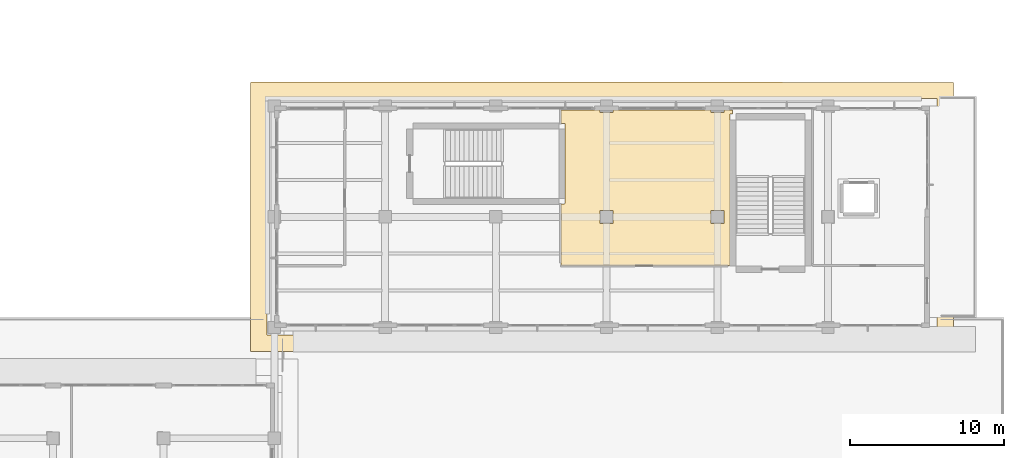
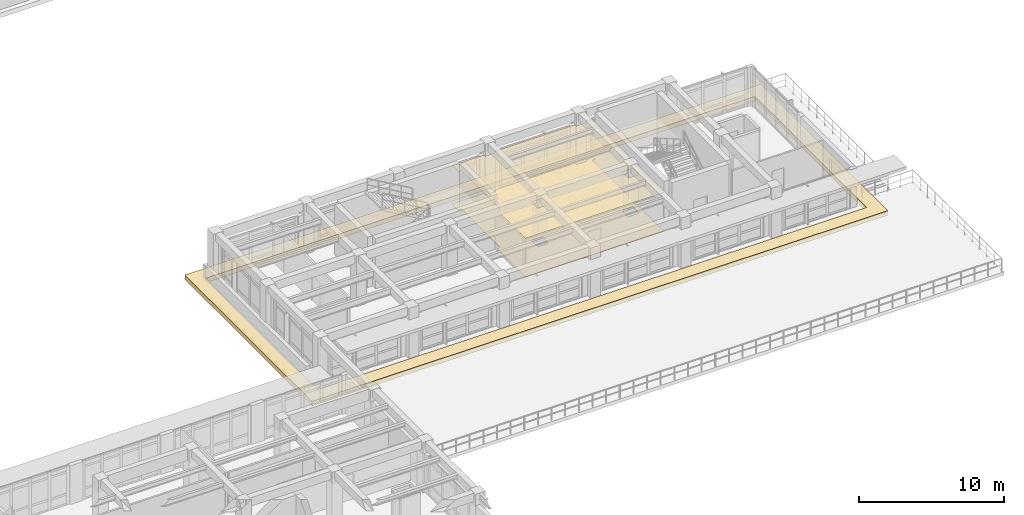
# One storey, part 62 of 67: 3 coverings.
"""IFC4 building model written with IfcOpenShell, lengths in metres."""

from ifc_helpers import new_model, si_unit, direction, frame, origin, place, context, subcontext, project, spatial, polyline, outline, extrude, material, layer, layer_set, type_object, element, save


model = new_model("IFC4")

# Units and contexts
model_context = context("Model", 3, precision=1e-05, world=origin(), true_north=direction((0.0, 1.0)))
body_context = subcontext(model_context, "Body", "Model", "MODEL_VIEW")
ifc_project = project(units=[si_unit("LENGTHUNIT", "METRE"), si_unit("AREAUNIT", "SQUARE_METRE"), si_unit("VOLUMEUNIT", "CUBIC_METRE"), si_unit("PLANEANGLEUNIT", "RADIAN"), si_unit("MASSUNIT", "GRAM", prefix="KILO")], contexts=[model_context])

# Site, building, storey
site_placement = place(None, origin())
site = spatial("IfcSite", under=ifc_project, at=site_placement, CompositionType="ELEMENT")
building_placement = place(site_placement, origin())
building = spatial("IfcBuilding", under=site, at=building_placement, Name="Solenvale Faculty of Natural Sciences", CompositionType="ELEMENT")
storey_placement = place(building_placement, frame((0.0, 0.0, 13.5)))
storey = spatial("IfcBuildingStorey", under=building, at=storey_placement, Name="L03", CompositionType="ELEMENT", Elevation=13.5)

# Coverings
ifc_material_1 = material(Name="Acoustic mineral-timber ceiling", Category="wood")
ifc_layer_1 = layer(ifc_material_1, 0.02490234375)
ifc_layer_set_1 = layer_set([ifc_layer_1], Name="Acoustic mineral-timber ceiling")
covering_type_1 = type_object("IfcCoveringType", Name="COV-CEIL-AC25", PredefinedType="CEILING", material=ifc_layer_set_1)
covering_1_placement = place(storey_placement, frame((0.0, 0.0, 3.235107421875)))
element("IfcCovering", 1, at=covering_1_placement, inside=storey, type_object=covering_type_1, Name="L03 Science Library Reference Reading Hall Acoustic Ceiling", PredefinedType="CEILING", context=body_context, shape_type="SweptSolid", body=[
    extrude(outline(polyline([(133.820068359375, 51.18994140625), (133.846923828125, 51.219970703125), (134.056884765625, 51.220947265625), (134.080078125, 51.25), (134.080078125, 56.450927734375), (134.054931640625, 56.47998046875), (133.846923828125, 56.47998046875), (133.821044921875, 56.5009765625), (133.820068359375, 57.330078125), (133.8359375, 57.35595703125), (136.347900390625, 57.360107421875), (136.3740234375, 57.3359375), (136.375, 57.18408203125), (136.385986328125, 57.175048828125), (137.217041015625, 57.175048828125), (137.22607421875, 57.3359375), (137.2548828125, 57.360107421875), (143.544921875, 57.360107421875), (143.573974609375, 57.3359375), (143.574951171875, 57.18408203125), (143.5859375, 57.175048828125), (144.416015625, 57.175048828125), (144.425048828125, 57.18408203125), (144.426025390625, 57.3359375), (144.446044921875, 57.35888671875), (144.949951171875, 57.360107421875), (144.97607421875, 57.343994140625), (144.97607421875, 57.095947265625), (144.952880859375, 57.080078125), (144.842041015625, 57.0791015625), (144.820068359375, 57.050048828125), (144.820068359375, 47.27001953125), (144.803955078125, 47.243896484375), (133.839111328125, 47.241943359375), (133.820068359375, 47.27001953125), (133.820068359375, 51.18994140625)]), holes=[polyline([(143.5859375, 50.824951171875), (143.574951171875, 50.81396484375), (143.577880859375, 49.97802734375), (144.422119140625, 49.97802734375), (144.422119140625, 50.822021484375), (143.5859375, 50.824951171875)]), polyline([(136.385986328125, 50.824951171875), (136.375, 50.81396484375), (136.3779296875, 49.97802734375), (137.221923828125, 49.97802734375), (137.221923828125, 50.822021484375), (136.385986328125, 50.824951171875)])]), origin(), (0.0, 0.0, 1.0), 0.02490234375),
])
ifc_material_2 = material(Name="Polished slate terrazzo flooring", Category="masonry")
ifc_layer_2 = layer(ifc_material_2, 0.01806640625)
ifc_layer_set_2 = layer_set([ifc_layer_2], Name="Polished slate terrazzo flooring")
covering_type_2 = type_object("IfcCoveringType", Name="COV-FLR-TRZ18", PredefinedType="FLOORING", material=ifc_layer_set_2)
covering_2_placement = place(storey_placement, origin())
element("IfcCovering", 2, at=covering_2_placement, inside=storey, type_object=covering_type_2, Name="L03 Science Library Reference Reading Hall Floor Finish", PredefinedType="FLOORING", context=body_context, shape_type="SweptSolid", body=[
    extrude(outline(polyline([(133.820068359375, 51.18994140625), (133.846923828125, 51.219970703125), (134.056884765625, 51.220947265625), (134.080078125, 51.25), (134.080078125, 56.450927734375), (134.054931640625, 56.47998046875), (133.846923828125, 56.47998046875), (133.821044921875, 56.5009765625), (133.820068359375, 57.330078125), (133.8359375, 57.35595703125), (136.347900390625, 57.360107421875), (136.3740234375, 57.3359375), (136.375, 57.18408203125), (136.385986328125, 57.175048828125), (137.217041015625, 57.175048828125), (137.22607421875, 57.3359375), (137.2548828125, 57.360107421875), (143.544921875, 57.360107421875), (143.573974609375, 57.3359375), (143.574951171875, 57.18408203125), (143.5859375, 57.175048828125), (144.416015625, 57.175048828125), (144.425048828125, 57.18408203125), (144.426025390625, 57.3359375), (144.446044921875, 57.35888671875), (144.949951171875, 57.360107421875), (144.97607421875, 57.343994140625), (144.97607421875, 57.095947265625), (144.952880859375, 57.080078125), (144.842041015625, 57.0791015625), (144.820068359375, 57.050048828125), (144.820068359375, 47.27001953125), (144.803955078125, 47.243896484375), (133.839111328125, 47.241943359375), (133.820068359375, 47.27001953125), (133.820068359375, 51.18994140625)]), holes=[polyline([(143.5859375, 50.824951171875), (143.574951171875, 50.81396484375), (143.577880859375, 49.97802734375), (144.422119140625, 49.97802734375), (144.422119140625, 50.822021484375), (143.5859375, 50.824951171875)]), polyline([(136.385986328125, 50.824951171875), (136.375, 50.81396484375), (136.3779296875, 49.97802734375), (137.221923828125, 49.97802734375), (137.221923828125, 50.822021484375), (136.385986328125, 50.824951171875)])]), origin(), (0.0, 0.0, 1.0), 0.01806640625),
])
ifc_material_3 = material(Name="Insulated EPDM roofing membrane")
ifc_layer_3 = layer(ifc_material_3, 0.06494140625)
ifc_layer_set_3 = layer_set([ifc_layer_3], Name="Insulated EPDM roofing membrane")
covering_type_3 = type_object("IfcCoveringType", Name="COV-ROOF-MEMB", PredefinedType="ROOFING", material=ifc_layer_set_3)
covering_3_placement = place(storey_placement, frame((0.0, 0.0, -0.340087890625)))
element("IfcCovering", 3, at=covering_3_placement, inside=storey, type_object=covering_type_3, Name="L03 Projecting Horizontal Bronze Concrete Tray Ledge 2", PredefinedType="CLADDING", context=body_context, shape_type="SweptSolid", body=[
    extrude(outline(polyline([(159.35009765625, 41.669921875), (159.343994140625, 41.656005859375), (159.330078125, 41.64990234375), (113.662109375, 41.652099609375), (113.64990234375, 41.669921875), (113.652099609375, 59.137939453125), (113.669921875, 59.14990234375), (159.337890625, 59.14794921875), (159.35009765625, 59.1298828125), (159.35009765625, 41.669921875)]), holes=[polyline([(114.719970703125, 42.719970703125), (158.280029296875, 42.719970703125), (158.280029296875, 58.080078125), (114.719970703125, 58.080078125), (114.719970703125, 42.719970703125)])]), origin(), (0.0, 0.0, 1.0), 0.380126953125),
])

save(model, "model.ifc")
